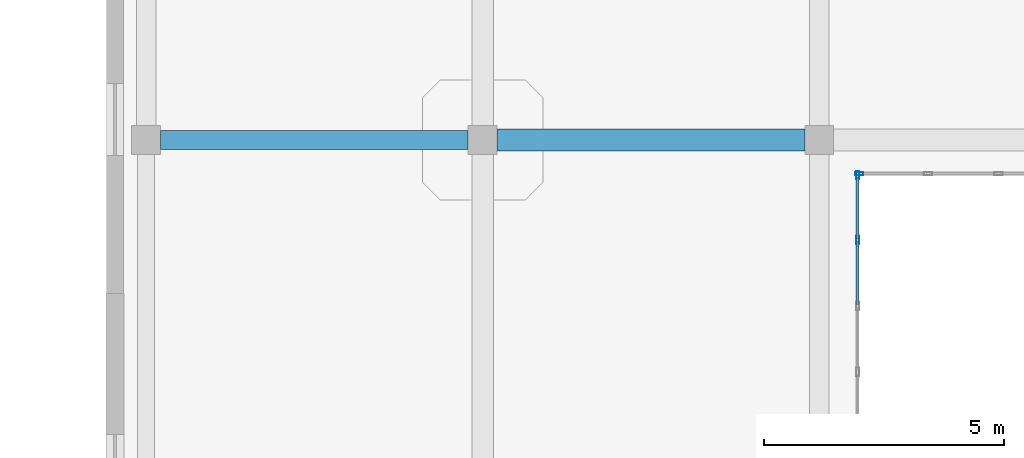
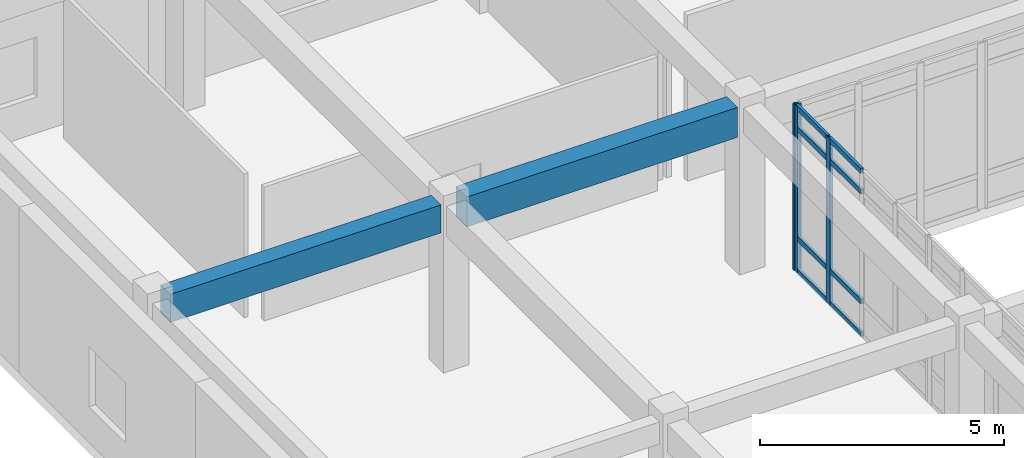
# One storey, part 89 of 142: 11 members, 2 beams, 2 elements without a shape of their own.
"""IFC4 building model written with IfcOpenShell, lengths in metres."""

from ifc_helpers import new_model, si_unit, direction, frame, origin, origin_2d, place, context, subcontext, project, spatial, rectangle, hollow_rectangle, extrude, material, layer, layer_set, material_profile, profile_set, type_object, element, aggregate, save


model = new_model("IFC4")

# Units and contexts
model_context = context("Model", 3, precision=1e-05, world=origin(), true_north=direction((0.0, 1.0)))
body_context = subcontext(model_context, "Body", "Model", "MODEL_VIEW")
ifc_project = project(units=[si_unit("LENGTHUNIT", "METRE"), si_unit("AREAUNIT", "SQUARE_METRE"), si_unit("VOLUMEUNIT", "CUBIC_METRE"), si_unit("PLANEANGLEUNIT", "RADIAN"), si_unit("MASSUNIT", "GRAM", prefix="KILO")], contexts=[model_context])

# Site, building, storey
site_placement = place(None, origin())
site = spatial("IfcSite", under=ifc_project, at=site_placement, CompositionType="ELEMENT")
building_placement = place(site_placement, origin())
building = spatial("IfcBuilding", under=site, at=building_placement, Name="Valcora Specialist Clinic", CompositionType="ELEMENT")
storey_placement = place(building_placement, frame((0.0, 0.0, 5.10009765625)))
storey = spatial("IfcBuildingStorey", under=building, at=storey_placement, Name="L01", CompositionType="ELEMENT", Elevation=5.10009765625)

# Beams
ifc_material_1 = material(Name="Concrete C40/50", Category="concrete")
ifc_material_profile_1 = material_profile(ifc_material_1, rectangle(XDim=0.39990234375, YDim=0.699951171875, at=origin_2d()), Name="RC-BM-400X700")
ifc_profile_set_1 = profile_set([ifc_material_profile_1], Name="Concrete C40/50")
beam_type_1 = type_object("IfcBeamType", Name="TY-BM-RC400X700", PredefinedType="BEAM", material=ifc_profile_set_1)
beam_1_placement = place(storey_placement, frame((62.300048828125, 99.199951171875, 3.794921875), z_axis=(1.0, 0.0, 0.0), x_axis=(0.0, 1.0, 0.0)))
element("IfcBeam", 1, at=beam_1_placement, inside=storey, type_object=beam_type_1, Name="Beam BM-L01-0640", PredefinedType="BEAM", context=body_context, shape_type="SweptSolid", body=[
    extrude(rectangle(XDim=0.39990234375, YDim=0.699951171875, at=origin_2d()), origin(), (0.0, 0.0, 1.0), 6.39990234375),
])
ifc_material_profile_2 = material_profile(ifc_material_1, rectangle(XDim=0.449951171875, YDim=0.75, at=origin_2d()), Name="RC-BM-450X750")
ifc_profile_set_2 = profile_set([ifc_material_profile_2], Name="Concrete C40/50")
beam_type_2 = type_object("IfcBeamType", Name="TY-BM-RC450X750", PredefinedType="BEAM", material=ifc_profile_set_2)
beam_2_placement = place(storey_placement, frame((69.300048828125, 99.199951171875, 3.77001953125), z_axis=(1.0, 0.0, 0.0), x_axis=(0.0, 1.0, 0.0)))
element("IfcBeam", 2, at=beam_2_placement, inside=storey, type_object=beam_type_2, Name="Beam BM-L01-0641", PredefinedType="BEAM", context=body_context, shape_type="SweptSolid", body=[
    extrude(rectangle(XDim=0.449951171875, YDim=0.75, at=origin_2d()), origin(), (0.0, 0.0, 1.0), 6.39990234375),
])

# Curtain wall, member
ifc_material_2 = material(Name="Anodized Bronze Aluminium 6063-T6", Category="aluminium")
ifc_layer = layer(ifc_material_2, 0.175048828125)
ifc_layer_set = layer_set([ifc_layer], Name="Anodized Bronze Aluminium 6063-T6")
curtain_wall_type = type_object("IfcCurtainWallType", Name="TY-CW-CRT15", PredefinedType="NOTDEFINED", material=ifc_layer_set)
curtain_wall_1_placement = place(storey_placement, origin())
curtain_wall_1 = element("IfcCurtainWall", 3, at=curtain_wall_1_placement, inside=storey, type_object=curtain_wall_type, Name="Curtain wall CW-L01-069", PredefinedType="NOTDEFINED")
ifc_material_profile_3 = material_profile(ifc_material_2, hollow_rectangle(XDim=0.06494140625, YDim=0.175048828125, WallThickness=0.00390625, at=origin_2d()), Name="AL-MUL-65X175")
ifc_profile_set_3 = profile_set([ifc_material_profile_3], Name="Anodized Bronze Aluminium 6063-T6")
member_type_1 = type_object("IfcMemberType", Name="TY-CWM-65X175", PredefinedType="MULLION", material=ifc_profile_set_3)
member_1_placement = place(storey_placement, frame((76.83251953125, 98.5, 0.0), z_axis=(0.0, 0.0, 1.0), x_axis=(0.0, -1.0, 0.0)))
member_1 = element("IfcMember", 4, at=member_1_placement, type_object=member_type_1, Name="CW-CRT-15 mullion 4", PredefinedType="MULLION", context=body_context, shape_type="SweptSolid", body=[
    extrude(hollow_rectangle(XDim=0.06494140625, YDim=0.175048828125, WallThickness=0.00390625, at=origin_2d()), origin(), (0.0, 0.0, 1.0), 4.14501953125),
])
aggregate(curtain_wall_1, [member_1])

# Curtain wall, members
curtain_wall_2_placement = place(storey_placement, origin())
curtain_wall_2 = element("IfcCurtainWall", 5, at=curtain_wall_2_placement, inside=storey, type_object=curtain_wall_type, Name="Curtain wall CW-L01-070", PredefinedType="NOTDEFINED")
member_2_placement = place(storey_placement, frame((76.800048828125, 98.467529296875, 0.0), z_axis=(0.0, 0.0, 1.0), x_axis=(1.0, 0.0, 0.0)))
member_2 = element("IfcMember", 6, at=member_2_placement, type_object=member_type_1, Name="CW-CRT-15 mullion 1", PredefinedType="MULLION", context=body_context, shape_type="SweptSolid", body=[
    extrude(hollow_rectangle(XDim=0.06494140625, YDim=0.175048828125, WallThickness=0.00390625, at=origin_2d()), origin(), (0.0, 0.0, 1.0), 4.14501953125),
])
member_3_placement = place(storey_placement, frame((76.800048828125, 97.125, 0.0), z_axis=(0.0, 0.0, 1.0), x_axis=(1.0, 0.0, 0.0)))
member_3 = element("IfcMember", 7, at=member_3_placement, type_object=member_type_1, Name="CW-CRT-15 mullion 2", PredefinedType="MULLION", context=body_context, shape_type="SweptSolid", body=[
    extrude(hollow_rectangle(XDim=0.06494140625, YDim=0.175048828125, WallThickness=0.00390625, at=origin_2d()), origin(), (0.0, 0.0, 1.0), 4.14501953125),
])
ifc_material_profile_4 = material_profile(ifc_material_2, hollow_rectangle(XDim=0.06494140625, YDim=0.1298828125, WallThickness=0.00390625, at=origin_2d()), Name="AL-TRN-65X130")
ifc_profile_set_4 = profile_set([ifc_material_profile_4], Name="Anodized Bronze Aluminium 6063-T6")
member_type_2 = type_object("IfcMemberType", Name="TY-CWT-65X130", PredefinedType="USERDEFINED", material=ifc_profile_set_4)
member_4_placement = place(storey_placement, frame((76.800048828125, 98.43505859375, 0.032470703125), z_axis=(0.0, -1.0, 0.0), x_axis=(1.0, 0.0, 0.0)))
member_4 = element("IfcMember", 8, at=member_4_placement, type_object=member_type_2, Name="CW-CRT-15 transom 1.1", ObjectType="TRANSOM", PredefinedType="USERDEFINED", context=body_context, shape_type="SweptSolid", body=[
    extrude(hollow_rectangle(XDim=0.06494140625, YDim=0.1298828125, WallThickness=0.00390625, at=origin_2d()), origin(), (0.0, 0.0, 1.0), 1.277587890625),
])
member_5_placement = place(storey_placement, frame((76.800048828125, 98.43505859375, 0.849853515625), z_axis=(0.0, -1.0, 0.0), x_axis=(1.0, 0.0, 0.0)))
member_5 = element("IfcMember", 9, at=member_5_placement, type_object=member_type_2, Name="CW-CRT-15 transom 1.2", ObjectType="TRANSOM", PredefinedType="USERDEFINED", context=body_context, shape_type="SweptSolid", body=[
    extrude(hollow_rectangle(XDim=0.06494140625, YDim=0.1298828125, WallThickness=0.00390625, at=origin_2d()), origin(), (0.0, 0.0, 1.0), 1.277587890625),
])
member_6_placement = place(storey_placement, frame((76.800048828125, 98.43505859375, 3.594970703125), z_axis=(0.0, -1.0, 0.0), x_axis=(1.0, 0.0, 0.0)))
member_6 = element("IfcMember", 10, at=member_6_placement, type_object=member_type_2, Name="CW-CRT-15 transom 1.3", ObjectType="TRANSOM", PredefinedType="USERDEFINED", context=body_context, shape_type="SweptSolid", body=[
    extrude(hollow_rectangle(XDim=0.06494140625, YDim=0.1298828125, WallThickness=0.00390625, at=origin_2d()), origin(), (0.0, 0.0, 1.0), 1.277587890625),
])
member_7_placement = place(storey_placement, frame((76.800048828125, 98.43505859375, 4.1123046875), z_axis=(0.0, -1.0, 0.0), x_axis=(1.0, 0.0, 0.0)))
member_7 = element("IfcMember", 11, at=member_7_placement, type_object=member_type_2, Name="CW-CRT-15 transom 1.4", ObjectType="TRANSOM", PredefinedType="USERDEFINED", context=body_context, shape_type="SweptSolid", body=[
    extrude(hollow_rectangle(XDim=0.06494140625, YDim=0.1298828125, WallThickness=0.00390625, at=origin_2d()), origin(), (0.0, 0.0, 1.0), 1.277587890625),
])
member_8_placement = place(storey_placement, frame((76.800048828125, 97.092529296875, 0.032470703125), z_axis=(0.0, -1.0, 0.0), x_axis=(1.0, 0.0, 0.0)))
member_8 = element("IfcMember", 12, at=member_8_placement, type_object=member_type_2, Name="CW-CRT-15 transom 2.1", ObjectType="TRANSOM", PredefinedType="USERDEFINED", context=body_context, shape_type="SweptSolid", body=[
    extrude(hollow_rectangle(XDim=0.06494140625, YDim=0.1298828125, WallThickness=0.00390625, at=origin_2d()), origin(), (0.0, 0.0, 1.0), 1.31005859375),
])
member_9_placement = place(storey_placement, frame((76.800048828125, 97.092529296875, 0.849853515625), z_axis=(0.0, -1.0, 0.0), x_axis=(1.0, 0.0, 0.0)))
member_9 = element("IfcMember", 13, at=member_9_placement, type_object=member_type_2, Name="CW-CRT-15 transom 2.2", ObjectType="TRANSOM", PredefinedType="USERDEFINED", context=body_context, shape_type="SweptSolid", body=[
    extrude(hollow_rectangle(XDim=0.06494140625, YDim=0.1298828125, WallThickness=0.00390625, at=origin_2d()), origin(), (0.0, 0.0, 1.0), 1.31005859375),
])
member_10_placement = place(storey_placement, frame((76.800048828125, 97.092529296875, 3.594970703125), z_axis=(0.0, -1.0, 0.0), x_axis=(1.0, 0.0, 0.0)))
member_10 = element("IfcMember", 14, at=member_10_placement, type_object=member_type_2, Name="CW-CRT-15 transom 2.3", ObjectType="TRANSOM", PredefinedType="USERDEFINED", context=body_context, shape_type="SweptSolid", body=[
    extrude(hollow_rectangle(XDim=0.06494140625, YDim=0.1298828125, WallThickness=0.00390625, at=origin_2d()), origin(), (0.0, 0.0, 1.0), 1.31005859375),
])
member_11_placement = place(storey_placement, frame((76.800048828125, 97.092529296875, 4.1123046875), z_axis=(0.0, -1.0, 0.0), x_axis=(1.0, 0.0, 0.0)))
member_11 = element("IfcMember", 15, at=member_11_placement, type_object=member_type_2, Name="CW-CRT-15 transom 2.4", ObjectType="TRANSOM", PredefinedType="USERDEFINED", context=body_context, shape_type="SweptSolid", body=[
    extrude(hollow_rectangle(XDim=0.06494140625, YDim=0.1298828125, WallThickness=0.00390625, at=origin_2d()), origin(), (0.0, 0.0, 1.0), 1.31005859375),
])
aggregate(curtain_wall_2, [member_2, member_3, member_4, member_5, member_6, member_7, member_8, member_9, member_10, member_11])

save(model, "model.ifc")
